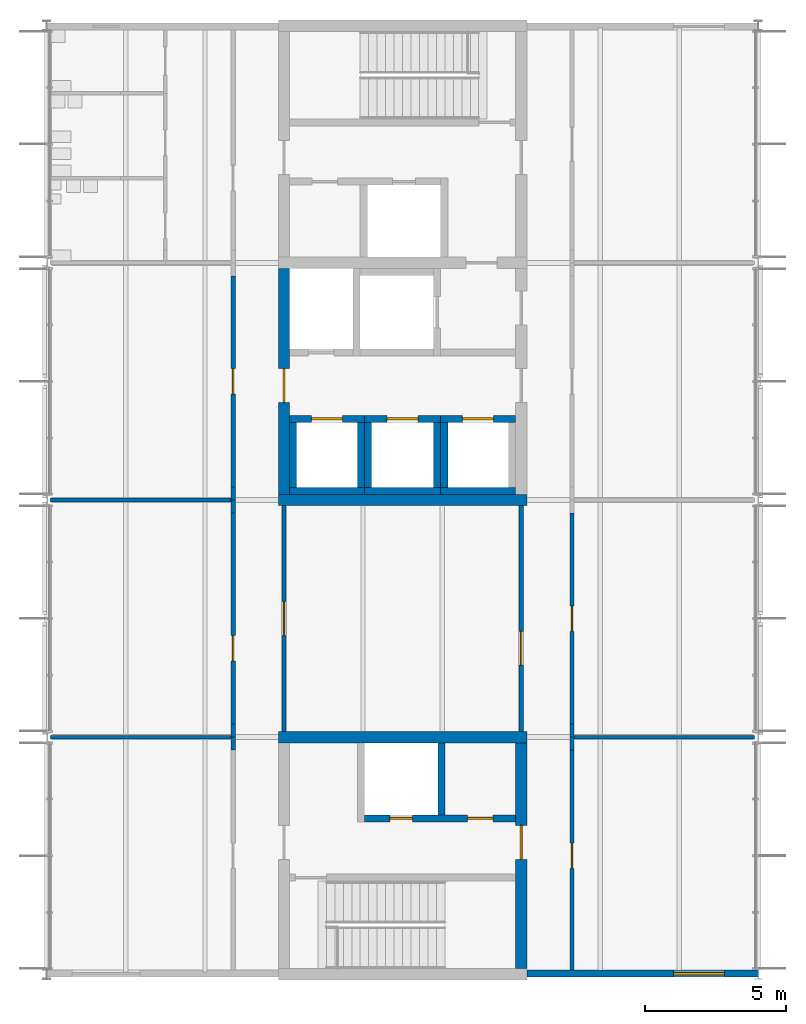
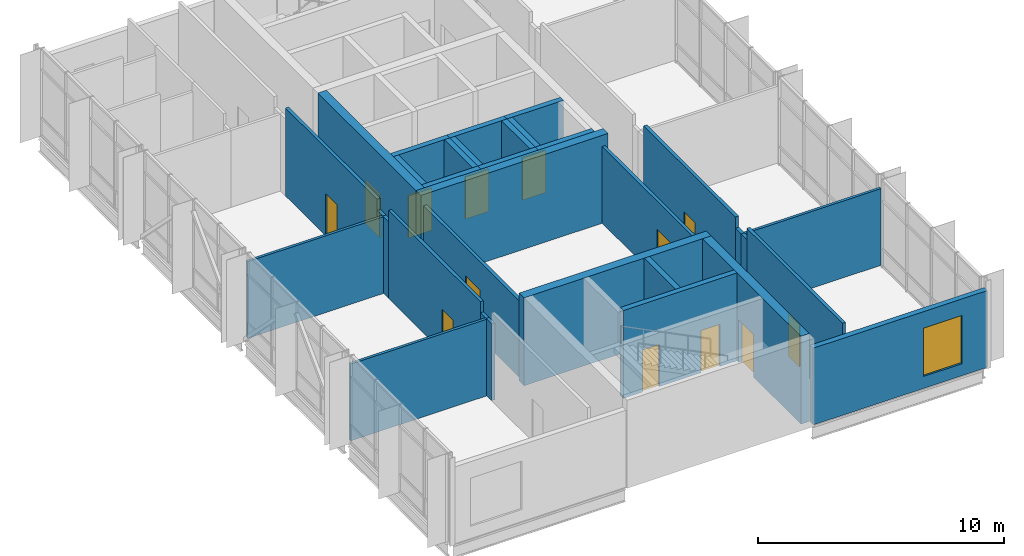
# One storey, part 9 of 17: 33 walls, 13 doors, 1 window, 14 openings.
"""IFC4 building model written with IfcOpenShell, lengths in metres."""

import ifcopenshell
import ifcopenshell.guid

model = None  # the IFC model being written
_history = None  # IfcOwnerHistory: only IFC2X3 demands one
_inside = {}  # id of a spatial element -> (the spatial element, [elements in it])
_under = {}  # id of a project, library or spatial element -> (it, [spatial elements below it])
_declared = {}  # id of a project -> (the project, [libraries it declares])
_typed = {}  # id of a type object -> (the type object, [elements of that type])
_made_of = {}  # id of a material, layer set ... -> (it, [elements and type objects made of it])


def new_model(schema):
    """Start an empty IFC model of exactly this schema.

    Asked for "IFC4X3", IfcOpenShell would pick the latest addendum, in which some entities
    have other attributes; the version numbers below select the first issue.
    IFC2X3 requires an IfcOwnerHistory on every rooted entity: one is made here for all.
    """
    global model, _history
    if schema == "IFC4X3":
        model = ifcopenshell.file(schema_version=(4, 3, 0, 0))
    else:
        model = ifcopenshell.file(schema=schema)
    _inside.clear()
    _under.clear()
    _declared.clear()
    _typed.clear()
    _made_of.clear()
    _history = None
    if model.schema == "IFC2X3":
        org = make("IfcOrganization", Name="unknown")
        user = make(
            "IfcPersonAndOrganization",
            ThePerson=make("IfcPerson", FamilyName="unknown"),
            TheOrganization=org,
        )
        app = make(
            "IfcApplication",
            ApplicationDeveloper=org,
            Version="unknown",
            ApplicationFullName="unknown",
            ApplicationIdentifier="unknown",
        )
        _history = make(
            "IfcOwnerHistory",
            OwningUser=user,
            OwningApplication=app,
            ChangeAction="ADDED",
            CreationDate=0,
        )
    return model


def make(cls, **values):
    """One entity of the class cls with the attributes given. An attribute that is None is left unset."""
    return model.create_entity(
        cls, **{name: value for name, value in values.items() if value is not None}
    )


def rooted(cls, **values):
    """An entity with a GlobalId (a new one), such as an element, a storey or a relation."""
    return make(cls, GlobalId=ifcopenshell.guid.new(), OwnerHistory=_history, **values)


def si_unit(unit_type, name, prefix=None):
    """IfcSIUnit, for example si_unit("LENGTHUNIT", "METRE", prefix="MILLI")."""
    return make("IfcSIUnit", UnitType=unit_type, Prefix=prefix, Name=name)


def assignment(units):
    """IfcUnitAssignment: the units of a project."""
    return None if units is None else make("IfcUnitAssignment", Units=units)


def point(xyz):
    """IfcCartesianPoint."""
    return None if xyz is None else make("IfcCartesianPoint", Coordinates=xyz)


def direction(xyz):
    """IfcDirection."""
    return None if xyz is None else make("IfcDirection", DirectionRatios=xyz)


def frame(location, z_axis=None, x_axis=None):
    """IfcAxis2Placement3D, a coordinate frame: its origin and axes. An axis left out is left unset."""
    return make(
        "IfcAxis2Placement3D",
        Location=point(location),
        Axis=direction(z_axis),
        RefDirection=direction(x_axis),
    )


def frame_2d(location, x_axis=None):
    """IfcAxis2Placement2D, a coordinate frame in the plane: its origin and x axis."""
    return make(
        "IfcAxis2Placement2D", Location=point(location), RefDirection=direction(x_axis)
    )


def origin():
    """The frame at (0, 0, 0) with its axes left unset."""
    return frame((0.0, 0.0, 0.0))


def place(relative_to, where):
    """IfcLocalPlacement: puts the frame where relative to a parent placement (None: the world)."""
    return make(
        "IfcLocalPlacement", PlacementRelTo=relative_to, RelativePlacement=where
    )


def context(
    kind, dimensions, precision=None, world=None, true_north=None, identifier=None
):
    """IfcGeometricRepresentationContext, for example the 3D "Model" context."""
    return make(
        "IfcGeometricRepresentationContext",
        ContextIdentifier=identifier,
        ContextType=kind,
        CoordinateSpaceDimension=dimensions,
        Precision=precision,
        WorldCoordinateSystem=world,
        TrueNorth=true_north,
    )


def subcontext(parent, identifier, kind, view, scale=None):
    """IfcGeometricRepresentationSubContext, for example "Body" below "Model"."""
    return make(
        "IfcGeometricRepresentationSubContext",
        ContextIdentifier=identifier,
        ContextType=kind,
        ParentContext=parent,
        TargetScale=scale,
        TargetView=view,
    )


def project(units=None, contexts=None):
    """IfcProject with its units and contexts."""
    return rooted(
        "IfcProject",
        Name="project",
        RepresentationContexts=contexts,
        UnitsInContext=assignment(units),
    )


def spatial(cls, under=None, at=None, **own):
    """A site, building, storey or space (cls), placed at a placement, below another one or the project."""
    s = rooted(cls, ObjectPlacement=at, **own)
    if under is not None:
        _under.setdefault(under.id(), (under, []))[1].append(s)
    return s


def profile(cls, at=None, kind="AREA", **sizes):
    """A parametric profile (cls). Its sizes go by their IFC names, for example OverallWidth=200.0."""
    return make(cls, ProfileType=kind, Position=at, **sizes)


def rectangle(**sizes):
    """IfcRectangleProfileDef."""
    return profile("IfcRectangleProfileDef", **sizes)


def extrude(swept, where, along, depth):
    """IfcExtrudedAreaSolid: the profile swept, set in the frame where, extruded along a direction by depth."""
    return make(
        "IfcExtrudedAreaSolid",
        SweptArea=swept,
        Position=where,
        ExtrudedDirection=direction(along),
        Depth=depth,
    )


def shape(context_of_items, identifier, shape_type, items):
    """IfcShapeRepresentation: the items that make up one representation, for example the "Body"."""
    return make(
        "IfcShapeRepresentation",
        ContextOfItems=context_of_items,
        RepresentationIdentifier=identifier,
        RepresentationType=shape_type,
        Items=items,
    )


def material(Name=None, Category=None):
    """IfcMaterial."""
    return make("IfcMaterial", Name=Name, Category=Category)


def layer(
    of_material, thickness, ventilated=None, Name=None, Category=None, Priority=None
):
    """IfcMaterialLayer: one layer of a wall or slab, of a material (None: an air gap)."""
    return make(
        "IfcMaterialLayer",
        Material=of_material,
        LayerThickness=thickness,
        IsVentilated=ventilated,
        Name=Name,
        Category=Category,
        Priority=Priority,
    )


def layer_set(layers, Name=None):
    """IfcMaterialLayerSet."""
    return make("IfcMaterialLayerSet", MaterialLayers=layers, LayerSetName=Name)


def made_of(thing, what):
    """Note that an element or type object is made of a material, layer set ...; save() writes the relation."""
    if what is not None:
        _made_of.setdefault(what.id(), (what, []))[1].append(thing)
    return thing


def type_object(cls, material=None, **own):
    """A type object (cls), such as IfcWallType, which elements share."""
    return made_of(rooted(cls, **own), material)


def element(
    cls,
    number,
    at=None,
    inside=None,
    cuts=None,
    type_object=None,
    material=None,
    context=None,
    identifier="Body",
    shape_type=None,
    held_by="IfcProductDefinitionShape",
    body=None,
    shapes=None,
    **own,
):
    """One element of the class cls, such as IfcWall. Its Tag is "e" and its number.

    at: its placement. inside: the storey or other place that contains it. cuts: it is an
    opening in that element (IfcRelVoidsElement). A single representation is given by context,
    identifier, shape_type and body (its items); several are given by shapes. held_by: the class
    of the entity that holds the representations. save() writes the other relations.
    """
    e = rooted(cls, Tag="e%d" % number, ObjectPlacement=at, **own)
    if body is not None:
        shapes = [shape(context, identifier, shape_type, body)]
    if shapes is not None:
        e.Representation = make(held_by, Representations=shapes)
    if inside is not None:
        _inside.setdefault(inside.id(), (inside, []))[1].append(e)
    if cuts is not None:
        rooted(
            "IfcRelVoidsElement", RelatingBuildingElement=cuts, RelatedOpeningElement=e
        )
    if type_object is not None:
        _typed.setdefault(type_object.id(), (type_object, []))[1].append(e)
    return made_of(e, material)


def fill(opening, filler):
    """IfcRelFillsElement: the door or window that sits in an opening."""
    return rooted(
        "IfcRelFillsElement",
        RelatingOpeningElement=opening,
        RelatedBuildingElement=filler,
    )


def aggregate(whole, parts):
    """IfcRelAggregates: a whole, such as a stair, and the parts it consists of."""
    return rooted("IfcRelAggregates", RelatingObject=whole, RelatedObjects=parts)


def save(model, path):
    """Write the relations noted so far, then the file.

    IfcRelAggregates (storeys below a building ...), IfcRelContainedInSpatialStructure (elements
    in a storey), IfcRelDefinesByType, IfcRelAssociatesMaterial and IfcRelDeclares: one each for
    every whole, place, type object, material and project.
    """
    for whole, parts in _under.values():
        aggregate(whole, parts)
    for where, things in _inside.values():
        rooted(
            "IfcRelContainedInSpatialStructure",
            RelatedElements=things,
            RelatingStructure=where,
        )
    for kind, things in _typed.values():
        rooted("IfcRelDefinesByType", RelatedObjects=things, RelatingType=kind)
    for what, things in _made_of.values():
        rooted("IfcRelAssociatesMaterial", RelatedObjects=things, RelatingMaterial=what)
    for by, libraries in _declared.values():
        rooted("IfcRelDeclares", RelatingContext=by, RelatedDefinitions=libraries)
    model.write(path)


model = new_model("IFC4")

# Units and contexts
model_context = context("Model", 3, precision=1e-05, world=origin(), true_north=direction((0.0, 1.0)))
body_context = subcontext(model_context, "Body", "Model", "MODEL_VIEW")
ifc_project = project(units=[si_unit("LENGTHUNIT", "METRE"), si_unit("AREAUNIT", "SQUARE_METRE"), si_unit("VOLUMEUNIT", "CUBIC_METRE"), si_unit("PLANEANGLEUNIT", "RADIAN"), si_unit("MASSUNIT", "GRAM", prefix="KILO")], contexts=[model_context])

# Site, building, storey
site_placement = place(None, origin())
site = spatial("IfcSite", under=ifc_project, at=site_placement, CompositionType="ELEMENT")
building_placement = place(site_placement, origin())
building = spatial("IfcBuilding", under=site, at=building_placement, Name="Hlaing Beacon Police Headquarters", CompositionType="ELEMENT")
storey_placement = place(building_placement, frame((0.0, 0.0, 36.89990234375)))
storey = spatial("IfcBuildingStorey", under=building, at=storey_placement, Name="L08", CompositionType="ELEMENT", Elevation=36.89990234375)

# Wall
ifc_material_1 = material(Name="Concrete C60/75", Category="concrete")
ifc_layer_1 = layer(ifc_material_1, 0.39990234375)
ifc_layer_set_1 = layer_set([ifc_layer_1], Name="Concrete C60/75")
wall_type_1 = type_object("IfcWallType", Name="Core shear wall 400", PredefinedType="SHEAR", material=ifc_layer_set_1)
wall_1_placement = place(storey_placement, frame((109.0, 50.39990234375, 0.0), z_axis=(0.0, 0.0, 1.0), x_axis=(1.0, 0.0, 0.0)))
element("IfcWall", 1, at=wall_1_placement, inside=storey, type_object=wall_type_1, Name="Core shear wall", PredefinedType="SHEAR", context=body_context, shape_type="SweptSolid", body=[
    extrude(rectangle(XDim=8.800048828125, YDim=0.39990234375, at=frame_2d((4.39990234375, 0.0))), origin(), (0.0, 0.0, 1.0), 4.3701171875),
])

# Wall, opening, door
wall_2_placement = place(storey_placement, frame((109.199951171875, 50.60009765625, 0.0), z_axis=(0.0, 0.0, 1.0), x_axis=(0.0, 1.0, 0.0)))
wall_2 = element("IfcWall", 2, at=wall_2_placement, inside=storey, type_object=wall_type_1, Name="Core shear wall", PredefinedType="SHEAR", context=body_context, shape_type="SweptSolid", body=[
    extrude(rectangle(XDim=8.0, YDim=0.39990234375, at=frame_2d((4.0, 0.0))), origin(), (0.0, 0.0, 1.0), 4.3701171875),
])
opening_1_placement = place(wall_2_placement, frame((3.25, 0.0, 0.0)))
opening_1 = element("IfcOpeningElement", 3, at=opening_1_placement, cuts=wall_2, Name="Opening L08-901", PredefinedType="OPENING", context=body_context, shape_type="SweptSolid", body=[
    extrude(rectangle(XDim=1.199951171875, YDim=2.10009765625, at=frame_2d((0.60009765625, 1.050048828125))), frame((0.0, 0.2099609375, 0.0), z_axis=(0.0, -1.0, 0.0), x_axis=(1.0, 0.0, 0.0)), (0.0, 0.0, 1.0), 0.419921875),
])
ifc_material_2 = material(Name="Steel fire door leaf", Category="steel")
ifc_layer_2 = layer(ifc_material_2, 0.070068359375)
ifc_layer_set_2 = layer_set([ifc_layer_2], Name="Steel fire door leaf")
door_type_1 = type_object("IfcDoorType", Name="Steel fire door FD60S 1200x2100", OperationType="SINGLE_SWING_LEFT", PredefinedType="DOOR", material=ifc_layer_set_2)
door_1_placement = place(opening_1_placement, frame((1.199951171875, 0.0, 0.0), z_axis=(0.0, 0.0, 1.0), x_axis=(-1.0, 0.0, 0.0)))
door_1 = element("IfcDoor", 4, at=door_1_placement, inside=storey, type_object=door_type_1, Name="Door Lift Lobby Entry", OperationType="SINGLE_SWING_LEFT", OverallHeight=2.10009765625, OverallWidth=1.199951171875, PredefinedType="DOOR", context=body_context, shape_type="SweptSolid", body=[
    extrude(rectangle(XDim=1.199951171875, YDim=2.10009765625, at=frame_2d((0.599853515625, 1.050048828125))), frame((0.0, 0.034912109375, 0.0), z_axis=(0.0, -1.0, 0.0), x_axis=(1.0, 0.0, 0.0)), (0.0, 0.0, 1.0), 0.070068359375),
])
fill(opening_1, door_1)

# Wall
wall_3_placement = place(storey_placement, frame((109.0, 42.0, 0.0), z_axis=(0.0, 0.0, 1.0), x_axis=(1.0, 0.0, 0.0)))
element("IfcWall", 5, at=wall_3_placement, inside=storey, type_object=wall_type_1, Name="Core shear wall", PredefinedType="SHEAR", context=body_context, shape_type="SweptSolid", body=[
    extrude(rectangle(XDim=8.800048828125, YDim=0.39990234375, at=frame_2d((4.39990234375, 0.0))), origin(), (0.0, 0.0, 1.0), 4.3701171875),
])

# Wall, opening, door
wall_4_placement = place(storey_placement, frame((117.60009765625, 33.800048828125, 0.0), z_axis=(0.0, 0.0, 1.0), x_axis=(0.0, 1.0, 0.0)))
wall_4 = element("IfcWall", 6, at=wall_4_placement, inside=storey, type_object=wall_type_1, Name="Core shear wall", PredefinedType="SHEAR", context=body_context, shape_type="SweptSolid", body=[
    extrude(rectangle(XDim=8.0, YDim=0.39990234375, at=frame_2d((4.0, 0.0))), origin(), (0.0, 0.0, 1.0), 4.3701171875),
])
opening_2_placement = place(wall_4_placement, frame((3.875, 0.0, 0.0)))
opening_2 = element("IfcOpeningElement", 7, at=opening_2_placement, cuts=wall_4, Name="Opening L08-913", PredefinedType="OPENING", context=body_context, shape_type="SweptSolid", body=[
    extrude(rectangle(XDim=1.199951171875, YDim=2.10009765625, at=frame_2d((0.60009765625, 1.050048828125))), frame((0.0, 0.2099609375, 0.0), z_axis=(0.0, -1.0, 0.0), x_axis=(1.0, 0.0, 0.0)), (0.0, 0.0, 1.0), 0.419921875),
])
door_2_placement = place(opening_2_placement, origin())
door_2 = element("IfcDoor", 8, at=door_2_placement, inside=storey, type_object=door_type_1, Name="Door Stair Lobby ST-L Entry", OperationType="SINGLE_SWING_LEFT", OverallHeight=2.10009765625, OverallWidth=1.199951171875, PredefinedType="DOOR", context=body_context, shape_type="SweptSolid", body=[
    extrude(rectangle(XDim=1.199951171875, YDim=2.10009765625, at=frame_2d((0.60009765625, 1.050048828125))), frame((0.0, 0.03515625, 0.0), z_axis=(0.0, -1.0, 0.0), x_axis=(1.0, 0.0, 0.0)), (0.0, 0.0, 1.0), 0.070068359375),
])
fill(opening_2, door_2)

ifc_material_3 = material(Name="Gypsum board partition")
ifc_layer_3 = layer(ifc_material_3, 0.14990234375)
ifc_layer_set_3 = layer_set([ifc_layer_3], Name="Gypsum board partition")
wall_type_2 = type_object("IfcWallType", Name="Corridor wall EI 30 150", PredefinedType="PARTITIONING", material=ifc_layer_set_3)
wall_5_placement = place(storey_placement, frame((119.39990234375, 33.75, 0.0), z_axis=(0.0, 0.0, 1.0), x_axis=(0.0, 1.0, 0.0)))
wall_5 = element("IfcWall", 9, at=wall_5_placement, inside=storey, type_object=wall_type_2, Name="Corridor wall EI 30 150", PredefinedType="PARTITIONING", context=body_context, shape_type="SweptSolid", body=[
    extrude(rectangle(XDim=7.7900390625, YDim=0.14990234375, at=frame_2d((3.89501953125, 0.0))), origin(), (0.0, 0.0, 1.0), 4.3701171875),
])
opening_3_placement = place(wall_5_placement, frame((3.60009765625, 0.0, 0.0)))
opening_3 = element("IfcOpeningElement", 10, at=opening_3_placement, cuts=wall_5, Name="Opening L08-001", PredefinedType="OPENING", context=body_context, shape_type="SweptSolid", body=[
    extrude(rectangle(XDim=0.89990234375, YDim=2.10009765625, at=frame_2d((0.449951171875, 1.050048828125))), frame((0.0, 0.0849609375, 0.0), z_axis=(0.0, -1.0, 0.0), x_axis=(1.0, 0.0, 0.0)), (0.0, 0.0, 1.0), 0.169921875),
])
ifc_material_4 = material(Name="Hardwood door leaf", Category="wood")
ifc_layer_4 = layer(ifc_material_4, 0.050048828125)
ifc_layer_set_4 = layer_set([ifc_layer_4], Name="Hardwood door leaf")
door_type_2 = type_object("IfcDoorType", Name="Fire door FD30S 900x2100", OperationType="SINGLE_SWING_LEFT", PredefinedType="DOOR", material=ifc_layer_set_4)
door_3_placement = place(opening_3_placement, frame((0.89990234375, 0.0, 0.0), z_axis=(0.0, 0.0, 1.0), x_axis=(-1.0, 0.0, 0.0)))
door_3 = element("IfcDoor", 11, at=door_3_placement, inside=storey, type_object=door_type_2, Name="Door Operations Commanders' Suite 1", OperationType="SINGLE_SWING_LEFT", OverallHeight=2.10009765625, OverallWidth=0.89990234375, PredefinedType="DOOR", context=body_context, shape_type="SweptSolid", body=[
    extrude(rectangle(XDim=0.89990234375, YDim=2.10009765625, at=frame_2d((0.449951171875, 1.050048828125))), frame((0.0, 0.025146484375, 0.0), z_axis=(0.0, -1.0, 0.0), x_axis=(1.0, 0.0, 0.0)), (0.0, 0.0, 1.0), 0.050048828125),
])
fill(opening_3, door_3)

# Walls
for number, where, z_axis, x_axis, name in (
    (12, (119.39990234375, 41.5400390625, 0.0), (0.0, 0.0, 1.0), (0.0, 1.0, 0.0), "Corridor wall EI 30 150"),
    (13, (119.39990234375, 42.0, 0.0), (0.0, 0.0, 1.0), (0.0, 1.0, 0.0), "Corridor wall EI 30 150"),
):
    element("IfcWall", number, at=place(storey_placement, frame(where, z_axis=z_axis, x_axis=x_axis)), inside=storey, type_object=wall_type_2, Name=name, PredefinedType="PARTITIONING", context=body_context, shape_type="SweptSolid", body=[
        extrude(rectangle(XDim=0.4599609375, YDim=0.14990234375, at=frame_2d((0.22998046875, 0.0))), origin(), (0.0, 0.0, 1.0), 3.817138671875),
    ])

# Wall, opening, door
wall_6_placement = place(storey_placement, frame((119.39990234375, 42.4599609375, 0.0), z_axis=(0.0, 0.0, 1.0), x_axis=(0.0, 1.0, 0.0)))
wall_6 = element("IfcWall", 14, at=wall_6_placement, inside=storey, type_object=wall_type_2, Name="Corridor wall EI 30 150", PredefinedType="PARTITIONING", context=body_context, shape_type="SweptSolid", body=[
    extrude(rectangle(XDim=7.47998046875, YDim=0.14990234375, at=frame_2d((3.739990234375, 0.0))), origin(), (0.0, 0.0, 1.0), 4.3701171875),
])
opening_4_placement = place(wall_6_placement, frame((3.2900390625, 0.0, 0.0)))
opening_4 = element("IfcOpeningElement", 15, at=opening_4_placement, cuts=wall_6, Name="Opening L08-002", PredefinedType="OPENING", context=body_context, shape_type="SweptSolid", body=[
    extrude(rectangle(XDim=0.89990234375, YDim=2.10009765625, at=frame_2d((0.449951171875, 1.050048828125))), frame((0.0, 0.0849609375, 0.0), z_axis=(0.0, -1.0, 0.0), x_axis=(1.0, 0.0, 0.0)), (0.0, 0.0, 1.0), 0.169921875),
])
door_4_placement = place(opening_4_placement, frame((0.89990234375, 0.0, 0.0), z_axis=(0.0, 0.0, 1.0), x_axis=(-1.0, 0.0, 0.0)))
door_4 = element("IfcDoor", 16, at=door_4_placement, inside=storey, type_object=door_type_2, Name="Door Operations Commanders' Suite 2", OperationType="SINGLE_SWING_RIGHT", OverallHeight=2.10009765625, OverallWidth=0.89990234375, PredefinedType="DOOR", context=body_context, shape_type="SweptSolid", body=[
    extrude(rectangle(XDim=0.89990234375, YDim=2.10009765625, at=frame_2d((0.449951171875, 1.050048828125))), frame((0.0, 0.025146484375, 0.0), z_axis=(0.0, -1.0, 0.0), x_axis=(1.0, 0.0, 0.0)), (0.0, 0.0, 1.0), 0.050048828125),
])
fill(opening_4, door_4)

wall_7_placement = place(storey_placement, frame((117.60009765625, 42.199951171875, 0.0), z_axis=(0.0, 0.0, 1.0), x_axis=(0.0, 1.0, 0.0)))
wall_7 = element("IfcWall", 17, at=wall_7_placement, inside=storey, type_object=wall_type_2, Name="Corridor wall EI 30 150", PredefinedType="PARTITIONING", context=body_context, shape_type="SweptSolid", body=[
    extrude(rectangle(XDim=8.0, YDim=0.14990234375, at=frame_2d((4.0, 0.0))), origin(), (0.0, 0.0, 1.0), 3.817138671875),
])
opening_5_placement = place(wall_7_placement, frame((2.35009765625, 0.0, 0.0)))
opening_5 = element("IfcOpeningElement", 18, at=opening_5_placement, cuts=wall_7, Name="Opening L08-005", PredefinedType="OPENING", context=body_context, shape_type="SweptSolid", body=[
    extrude(rectangle(XDim=1.199951171875, YDim=2.39990234375, at=frame_2d((0.60009765625, 1.199951171875))), frame((0.0, 0.0849609375, 0.0), z_axis=(0.0, -1.0, 0.0), x_axis=(1.0, 0.0, 0.0)), (0.0, 0.0, 1.0), 0.169921875),
])
ifc_material_5 = material(Name="Hardwood door leaf", Category="wood")
ifc_layer_5 = layer(ifc_material_5, 0.050048828125)
ifc_layer_set_5 = layer_set([ifc_layer_5], Name="Hardwood door leaf")
door_type_3 = type_object("IfcDoorType", Name="Fire public door FD30S 1200x2400", OperationType="SINGLE_SWING_LEFT", PredefinedType="DOOR", material=ifc_layer_set_5)
door_5_placement = place(opening_5_placement, frame((1.199951171875, 0.0, 0.0), z_axis=(0.0, 0.0, 1.0), x_axis=(-1.0, 0.0, 0.0)))
door_5 = element("IfcDoor", 19, at=door_5_placement, inside=storey, type_object=door_type_3, Name="Door Command Meeting Room 2", OperationType="SINGLE_SWING_RIGHT", OverallHeight=2.39990234375, OverallWidth=1.199951171875, PredefinedType="DOOR", context=body_context, shape_type="SweptSolid", body=[
    extrude(rectangle(XDim=1.199951171875, YDim=2.39990234375, at=frame_2d((0.599853515625, 1.199951171875))), frame((0.0, 0.025146484375, 0.0), z_axis=(0.0, -1.0, 0.0), x_axis=(1.0, 0.0, 0.0)), (0.0, 0.0, 1.0), 0.050048828125),
])
fill(opening_5, door_5)

wall_8_placement = place(storey_placement, frame((109.199951171875, 42.199951171875, 0.0), z_axis=(0.0, 0.0, 1.0), x_axis=(0.0, 1.0, 0.0)))
wall_8 = element("IfcWall", 20, at=wall_8_placement, inside=storey, type_object=wall_type_2, Name="Corridor wall EI 30 150", PredefinedType="PARTITIONING", context=body_context, shape_type="SweptSolid", body=[
    extrude(rectangle(XDim=8.0, YDim=0.14990234375, at=frame_2d((4.0, 0.0))), origin(), (0.0, 0.0, 1.0), 3.817138671875),
])
opening_6_placement = place(wall_8_placement, frame((3.39990234375, 0.0, 0.0)))
opening_6 = element("IfcOpeningElement", 21, at=opening_6_placement, cuts=wall_8, Name="Opening L08-006", PredefinedType="OPENING", context=body_context, shape_type="SweptSolid", body=[
    extrude(rectangle(XDim=1.199951171875, YDim=2.39990234375, at=frame_2d((0.60009765625, 1.199951171875))), frame((0.0, 0.0849609375, 0.0), z_axis=(0.0, -1.0, 0.0), x_axis=(1.0, 0.0, 0.0)), (0.0, 0.0, 1.0), 0.169921875),
])
door_6_placement = place(opening_6_placement, origin())
door_6 = element("IfcDoor", 22, at=door_6_placement, inside=storey, type_object=door_type_3, Name="Door Command Meeting Room 2", OperationType="SINGLE_SWING_LEFT", OverallHeight=2.39990234375, OverallWidth=1.199951171875, PredefinedType="DOOR", context=body_context, shape_type="SweptSolid", body=[
    extrude(rectangle(XDim=1.199951171875, YDim=2.39990234375, at=frame_2d((0.60009765625, 1.199951171875))), frame((0.0, 0.02490234375, 0.0), z_axis=(0.0, -1.0, 0.0), x_axis=(1.0, 0.0, 0.0)), (0.0, 0.0, 1.0), 0.050048828125),
])
fill(opening_6, door_6)

# Walls
for number, where, z_axis, x_axis, name in (
    (23, (107.39990234375, 41.5400390625, 0.0), (0.0, 0.0, 1.0), (0.0, 1.0, 0.0), "Corridor wall EI 30 150"),
    (24, (107.39990234375, 42.0, 0.0), (0.0, 0.0, 1.0), (0.0, 1.0, 0.0), "Corridor wall EI 30 150"),
):
    element("IfcWall", number, at=place(storey_placement, frame(where, z_axis=z_axis, x_axis=x_axis)), inside=storey, type_object=wall_type_2, Name=name, PredefinedType="PARTITIONING", context=body_context, shape_type="SweptSolid", body=[
        extrude(rectangle(XDim=0.4599609375, YDim=0.14990234375, at=frame_2d((0.22998046875, 0.0))), origin(), (0.0, 0.0, 1.0), 3.817138671875),
    ])

# Wall, opening, door
wall_9_placement = place(storey_placement, frame((107.39990234375, 42.4599609375, 0.0), z_axis=(0.0, 0.0, 1.0), x_axis=(0.0, 1.0, 0.0)))
wall_9 = element("IfcWall", 25, at=wall_9_placement, inside=storey, type_object=wall_type_2, Name="Corridor wall EI 30 150", PredefinedType="PARTITIONING", context=body_context, shape_type="SweptSolid", body=[
    extrude(rectangle(XDim=7.47998046875, YDim=0.14990234375, at=frame_2d((3.739990234375, 0.0))), origin(), (0.0, 0.0, 1.0), 4.3701171875),
])
opening_7_placement = place(wall_9_placement, frame((2.239990234375, 0.0, 0.0)))
opening_7 = element("IfcOpeningElement", 26, at=opening_7_placement, cuts=wall_9, Name="Opening L08-008", PredefinedType="OPENING", context=body_context, shape_type="SweptSolid", body=[
    extrude(rectangle(XDim=0.89990234375, YDim=2.10009765625, at=frame_2d((0.449951171875, 1.050048828125))), frame((0.0, 0.0849609375, 0.0), z_axis=(0.0, -1.0, 0.0), x_axis=(1.0, 0.0, 0.0)), (0.0, 0.0, 1.0), 0.169921875),
])
door_7_placement = place(opening_7_placement, origin())
door_7 = element("IfcDoor", 27, at=door_7_placement, inside=storey, type_object=door_type_2, Name="Door Deputy Chief Office 2", OperationType="SINGLE_SWING_RIGHT", OverallHeight=2.10009765625, OverallWidth=0.89990234375, PredefinedType="DOOR", context=body_context, shape_type="SweptSolid", body=[
    extrude(rectangle(XDim=0.89990234375, YDim=2.10009765625, at=frame_2d((0.449951171875, 1.050048828125))), frame((0.0, 0.02490234375, 0.0), z_axis=(0.0, -1.0, 0.0), x_axis=(1.0, 0.0, 0.0)), (0.0, 0.0, 1.0), 0.050048828125),
])
fill(opening_7, door_7)

# Walls
wall_10_placement = place(storey_placement, frame((107.39990234375, 49.93994140625, 0.0), z_axis=(0.0, 0.0, 1.0), x_axis=(0.0, 1.0, 0.0)))
element("IfcWall", 28, at=wall_10_placement, inside=storey, type_object=wall_type_2, Name="Corridor wall EI 30 150", PredefinedType="PARTITIONING", context=body_context, shape_type="SweptSolid", body=[
    extrude(rectangle(XDim=0.4599609375, YDim=0.14990234375, at=frame_2d((0.22998046875, 0.0))), origin(), (0.0, 0.0, 1.0), 3.817138671875),
])
wall_11_placement = place(storey_placement, frame((107.39990234375, 50.39990234375, 0.0), z_axis=(0.0, 0.0, 1.0), x_axis=(0.0, 1.0, 0.0)))
element("IfcWall", 29, at=wall_11_placement, inside=storey, type_object=wall_type_2, Name="Corridor wall EI 30 150", PredefinedType="PARTITIONING", context=body_context, shape_type="SweptSolid", body=[
    extrude(rectangle(XDim=0.460205078125, YDim=0.14990234375, at=frame_2d((0.22998046875, 0.0))), origin(), (0.0, 0.0, 1.0), 3.817138671875),
])

# Wall, opening, door
wall_12_placement = place(storey_placement, frame((107.39990234375, 50.860107421875, 0.0), z_axis=(0.0, 0.0, 1.0), x_axis=(0.0, 1.0, 0.0)))
wall_12 = element("IfcWall", 30, at=wall_12_placement, inside=storey, type_object=wall_type_2, Name="Corridor wall EI 30 150", PredefinedType="PARTITIONING", context=body_context, shape_type="SweptSolid", body=[
    extrude(rectangle(XDim=7.47998046875, YDim=0.14990234375, at=frame_2d((3.739990234375, 0.0))), origin(), (0.0, 0.0, 1.0), 4.3701171875),
])
opening_8_placement = place(wall_12_placement, frame((3.2900390625, 0.0, 0.0)))
opening_8 = element("IfcOpeningElement", 31, at=opening_8_placement, cuts=wall_12, Name="Opening L08-009", PredefinedType="OPENING", context=body_context, shape_type="SweptSolid", body=[
    extrude(rectangle(XDim=0.89990234375, YDim=2.10009765625, at=frame_2d((0.449951171875, 1.050048828125))), frame((0.0, 0.0849609375, 0.0), z_axis=(0.0, -1.0, 0.0), x_axis=(1.0, 0.0, 0.0)), (0.0, 0.0, 1.0), 0.169921875),
])
door_8_placement = place(opening_8_placement, origin())
door_8 = element("IfcDoor", 32, at=door_8_placement, inside=storey, type_object=door_type_2, Name="Door Deputy Chief Office 3", OperationType="SINGLE_SWING_LEFT", OverallHeight=2.10009765625, OverallWidth=0.89990234375, PredefinedType="DOOR", context=body_context, shape_type="SweptSolid", body=[
    extrude(rectangle(XDim=0.89990234375, YDim=2.10009765625, at=frame_2d((0.449951171875, 1.050048828125))), frame((0.0, 0.02490234375, 0.0), z_axis=(0.0, -1.0, 0.0), x_axis=(1.0, 0.0, 0.0)), (0.0, 0.0, 1.0), 0.050048828125),
])
fill(opening_8, door_8)

# Walls
ifc_material_6 = material(Name="Gypsum board partition")
ifc_layer_6 = layer(ifc_material_6, 0.125)
ifc_layer_set_6 = layer_set([ifc_layer_6], Name="Gypsum board partition")
wall_type_3 = type_object("IfcWallType", Name="Partition 125", PredefinedType="PARTITIONING", material=ifc_layer_set_6)
wall_13_placement = place(storey_placement, frame((119.47509765625, 42.0, 0.0), z_axis=(0.0, 0.0, 1.0), x_axis=(1.0, 0.0, 0.0)))
element("IfcWall", 33, at=wall_13_placement, inside=storey, type_object=wall_type_3, Name="Partition 125", PredefinedType="PARTITIONING", context=body_context, shape_type="SweptSolid", body=[
    extrude(rectangle(XDim=6.39599609375, YDim=0.125, at=frame_2d((3.197998046875, 0.0))), origin(), (0.0, 0.0, 1.0), 3.817138671875),
])
for number, where, z_axis, x_axis, name in (
    (34, (100.927978515625, 42.0, 0.0), (0.0, 0.0, 1.0), (1.0, 0.0, 0.0), "Partition 125"),
    (35, (100.927978515625, 50.39990234375, 0.0), (0.0, 0.0, 1.0), (1.0, 0.0, 0.0), "Partition 125"),
):
    element("IfcWall", number, at=place(storey_placement, frame(where, z_axis=z_axis, x_axis=x_axis)), inside=storey, type_object=wall_type_3, Name=name, PredefinedType="PARTITIONING", context=body_context, shape_type="SweptSolid", body=[
        extrude(rectangle(XDim=6.39697265625, YDim=0.125, at=frame_2d((3.198486328125, 0.0))), origin(), (0.0, 0.0, 1.0), 3.817138671875),
    ])

# Wall, opening, window
ifc_material_7 = material(Name="Concrete C40/50 precast ribbed cladding", Category="concrete")
ifc_layer_7 = layer(ifc_material_7, 0.25)
ifc_layer_set_7 = layer_set([ifc_layer_7], Name="Concrete C40/50 precast ribbed cladding")
wall_type_4 = type_object("IfcWallType", Name="Precast ribbed wall 250", PredefinedType="SOLIDWALL", material=ifc_layer_set_7)
wall_14_placement = place(storey_placement, frame((117.800048828125, 33.625, 0.0), z_axis=(0.0, 0.0, 1.0), x_axis=(1.0, 0.0, 0.0)))
wall_14 = element("IfcWall", 36, at=wall_14_placement, inside=storey, type_object=wall_type_4, Name="External wall L08 S004", PredefinedType="SOLIDWALL", context=body_context, shape_type="SweptSolid", body=[
    extrude(rectangle(XDim=8.1962890625, YDim=0.25, at=frame_2d((4.09814453125, 0.0))), origin(), (0.0, 0.0, 1.0), 3.819091796875),
])
opening_9_placement = place(wall_14_placement, frame((5.199951171875, 0.0, 0.60009765625)))
opening_9 = element("IfcOpeningElement", 37, at=opening_9_placement, cuts=wall_14, Name="Opening WN43", PredefinedType="OPENING", context=body_context, shape_type="SweptSolid", body=[
    extrude(rectangle(XDim=1.800048828125, YDim=2.39990234375, at=frame_2d((0.89990234375, 1.199951171875))), frame((0.0, 0.135009765625, 0.0), z_axis=(0.0, -1.0, 0.0), x_axis=(1.0, 0.0, 0.0)), (0.0, 0.0, 1.0), 0.27001953125),
])
ifc_material_8 = material(Name="Aluminium frame with solar control glazing", Category="aluminium")
window_type = type_object("IfcWindowType", Name="Wide window 1800x2400 frame 80", PartitioningType="SINGLE_PANEL", PredefinedType="WINDOW", material=ifc_material_8)
window_placement = place(opening_9_placement, origin())
window = element("IfcWindow", 38, at=window_placement, inside=storey, type_object=window_type, Name="Window L08 WM", OverallHeight=2.39990234375, OverallWidth=1.800048828125, PartitioningType="SINGLE_PANEL", PredefinedType="WINDOW", context=body_context, shape_type="SweptSolid", body=[
    extrude(rectangle(XDim=1.800048828125, YDim=2.39990234375, at=frame_2d((0.89990234375, 1.199951171875))), frame((0.0, 0.0400390625, 0.0), z_axis=(0.0, -1.0, 0.0), x_axis=(1.0, 0.0, 0.0)), (0.0, 0.0, 1.0), 0.080078125),
])
fill(opening_9, window)

# Wall, openings, doors
ifc_material_9 = material(Name="Concrete C40/50", Category="concrete")
ifc_layer_8 = layer(ifc_material_9, 0.25)
ifc_layer_set_8 = layer_set([ifc_layer_8], Name="Concrete C40/50")
wall_type_5 = type_object("IfcWallType", Name="Shaft wall 250", PredefinedType="SOLIDWALL", material=ifc_layer_set_8)
wall_15_placement = place(storey_placement, frame((112.050048828125, 39.125, 0.0), z_axis=(0.0, 0.0, 1.0), x_axis=(1.0, 0.0, 0.0)))
wall_15 = element("IfcWall", 39, at=wall_15_placement, inside=storey, type_object=wall_type_5, Name="Lobby wall", PredefinedType="SOLIDWALL", context=body_context, shape_type="SweptSolid", body=[
    extrude(rectangle(XDim=5.349853515625, YDim=0.25, at=frame_2d((2.6748046875, 0.0))), origin(), (0.0, 0.0, 1.0), 4.3701171875),
])
opening_10_placement = place(wall_15_placement, frame((3.64990234375, 0.0, 0.0)))
opening_10 = element("IfcOpeningElement", 40, at=opening_10_placement, cuts=wall_15, Name="Opening L08-911", PredefinedType="OPENING", context=body_context, shape_type="SweptSolid", body=[
    extrude(rectangle(XDim=0.89990234375, YDim=2.10009765625, at=frame_2d((0.449951171875, 1.050048828125))), frame((0.0, 0.135009765625, 0.0), z_axis=(0.0, -1.0, 0.0), x_axis=(1.0, 0.0, 0.0)), (0.0, 0.0, 1.0), 0.27001953125),
])
opening_11_placement = place(wall_15_placement, frame((0.89990234375, 0.0, 0.0)))
opening_11 = element("IfcOpeningElement", 41, at=opening_11_placement, cuts=wall_15, Name="Opening L08-914", PredefinedType="OPENING", context=body_context, shape_type="SweptSolid", body=[
    extrude(rectangle(XDim=0.800048828125, YDim=2.10009765625, at=frame_2d((0.39990234375, 1.050048828125))), frame((0.0, 0.135009765625, 0.0), z_axis=(0.0, -1.0, 0.0), x_axis=(1.0, 0.0, 0.0)), (0.0, 0.0, 1.0), 0.27001953125),
])
ifc_material_10 = material(Name="Steel fire door leaf", Category="steel")
ifc_layer_9 = layer(ifc_material_10, 0.070068359375)
ifc_layer_set_9 = layer_set([ifc_layer_9], Name="Steel fire door leaf")
door_type_4 = type_object("IfcDoorType", Name="Steel fire door FD60 800x2100", OperationType="SINGLE_SWING_LEFT", PredefinedType="DOOR", material=ifc_layer_set_9)
door_9_placement = place(opening_11_placement, origin())
door_9 = element("IfcDoor", 42, at=door_9_placement, inside=storey, type_object=door_type_4, Name="Door Services Riser", OperationType="SINGLE_SWING_RIGHT", OverallHeight=2.10009765625, OverallWidth=0.800048828125, PredefinedType="DOOR", context=body_context, shape_type="SweptSolid", body=[
    extrude(rectangle(XDim=0.800048828125, YDim=2.10009765625, at=frame_2d((0.39990234375, 1.050048828125))), frame((0.0, 0.03515625, 0.0), z_axis=(0.0, -1.0, 0.0), x_axis=(1.0, 0.0, 0.0)), (0.0, 0.0, 1.0), 0.070068359375),
])
fill(opening_11, door_9)
ifc_material_11 = material(Name="Steel fire door leaf", Category="steel")
ifc_layer_10 = layer(ifc_material_11, 0.070068359375)
ifc_layer_set_10 = layer_set([ifc_layer_10], Name="Steel fire door leaf")
door_type_5 = type_object("IfcDoorType", Name="Steel fire door FD60 900x2100", OperationType="SINGLE_SWING_LEFT", PredefinedType="DOOR", material=ifc_layer_set_10)
door_10_placement = place(opening_10_placement, origin())
door_10 = element("IfcDoor", 43, at=door_10_placement, inside=storey, type_object=door_type_5, Name="Door Cleaners' Store", OperationType="SINGLE_SWING_LEFT", OverallHeight=2.10009765625, OverallWidth=0.89990234375, PredefinedType="DOOR", context=body_context, shape_type="SweptSolid", body=[
    extrude(rectangle(XDim=0.89990234375, YDim=2.10009765625, at=frame_2d((0.449951171875, 1.050048828125))), frame((0.0, 0.03515625, 0.0), z_axis=(0.0, -1.0, 0.0), x_axis=(1.0, 0.0, 0.0)), (0.0, 0.0, 1.0), 0.070068359375),
])
fill(opening_10, door_10)

# Walls
wall_16_placement = place(storey_placement, frame((114.77490234375, 39.25, 0.0), z_axis=(0.0, 0.0, 1.0), x_axis=(0.0, 1.0, 0.0)))
element("IfcWall", 44, at=wall_16_placement, inside=storey, type_object=wall_type_5, Name="Riser wall", PredefinedType="SOLIDWALL", context=body_context, shape_type="SweptSolid", body=[
    extrude(rectangle(XDim=2.550048828125, YDim=0.25, at=frame_2d((1.27490234375, 0.0))), origin(), (0.0, 0.0, 1.0), 4.3701171875),
])
wall_17_placement = place(storey_placement, frame((111.925048828125, 50.85009765625, 0.0), z_axis=(0.0, 0.0, 1.0), x_axis=(0.0, 1.0, 0.0)))
element("IfcWall", 45, at=wall_17_placement, inside=storey, type_object=wall_type_5, Name="Lift shaft wall PL7", PredefinedType="SOLIDWALL", context=body_context, shape_type="SweptSolid", body=[
    extrude(rectangle(XDim=2.2998046875, YDim=0.25, at=frame_2d((1.14990234375, 0.0))), origin(), (0.0, 0.0, 1.0), 4.3701171875),
])

# Wall, opening, door
wall_18_placement = place(storey_placement, frame((109.39990234375, 53.27490234375, 0.0), z_axis=(0.0, 0.0, 1.0), x_axis=(1.0, 0.0, 0.0)))
wall_18 = element("IfcWall", 46, at=wall_18_placement, inside=storey, type_object=wall_type_5, Name="Lift shaft wall PL7", PredefinedType="SOLIDWALL", context=body_context, shape_type="SweptSolid", body=[
    extrude(rectangle(XDim=2.650146484375, YDim=0.25, at=frame_2d((1.3251953125, 0.0))), origin(), (0.0, 0.0, 1.0), 4.3701171875),
])
opening_12_placement = place(wall_18_placement, frame((0.77490234375, 0.0, 0.0)))
opening_12 = element("IfcOpeningElement", 47, at=opening_12_placement, cuts=wall_18, Name="Opening LD-PL7-L08", PredefinedType="OPENING", context=body_context, shape_type="SweptSolid", body=[
    extrude(rectangle(XDim=1.10009765625, YDim=2.10009765625, at=frame_2d((0.550048828125, 1.050048828125))), frame((0.0, 0.135009765625, 0.0), z_axis=(0.0, -1.0, 0.0), x_axis=(1.0, 0.0, 0.0)), (0.0, 0.0, 1.0), 0.27001953125),
])
ifc_material_12 = material(Name="Stainless steel lift landing door", Category="steel")
ifc_layer_11 = layer(ifc_material_12, 0.06005859375)
ifc_layer_set_11 = layer_set([ifc_layer_11], Name="Stainless steel lift landing door")
door_type_6 = type_object("IfcDoorType", Name="Lift landing door 1100x2100", OperationType="DOUBLE_DOOR_SLIDING", PredefinedType="DOOR", material=ifc_layer_set_11)
door_11_placement = place(opening_12_placement, origin())
door_11 = element("IfcDoor", 48, at=door_11_placement, inside=storey, type_object=door_type_6, Name="Landing door PL7 L08", OperationType="DOUBLE_DOOR_SLIDING", OverallHeight=2.10009765625, OverallWidth=1.10009765625, PredefinedType="DOOR", context=body_context, shape_type="SweptSolid", body=[
    extrude(rectangle(XDim=1.10009765625, YDim=2.10009765625, at=frame_2d((0.550048828125, 1.050048828125))), frame((0.0, 0.0400390625, 0.0), z_axis=(0.0, -1.0, 0.0), x_axis=(1.0, 0.0, 0.0)), (0.0, 0.0, 1.0), 0.080078125),
])
fill(opening_12, door_11)

# Walls
wall_19_placement = place(storey_placement, frame((109.39990234375, 50.72509765625, 0.0), z_axis=(0.0, 0.0, 1.0), x_axis=(1.0, 0.0, 0.0)))
element("IfcWall", 49, at=wall_19_placement, inside=storey, type_object=wall_type_5, Name="Lift shaft wall PL7", PredefinedType="SOLIDWALL", context=body_context, shape_type="SweptSolid", body=[
    extrude(rectangle(XDim=2.650146484375, YDim=0.25, at=frame_2d((1.3251953125, 0.0))), origin(), (0.0, 0.0, 1.0), 4.3701171875),
])
for number, where, z_axis, x_axis, name in (
    (50, (109.52490234375, 50.85009765625, 0.0), (0.0, 0.0, 1.0), (0.0, 1.0, 0.0), "Lift shaft wall PL7"),
    (51, (114.625, 50.85009765625, 0.0), (0.0, 0.0, 1.0), (0.0, 1.0, 0.0), "Lift shaft wall PL8"),
):
    element("IfcWall", number, at=place(storey_placement, frame(where, z_axis=z_axis, x_axis=x_axis)), inside=storey, type_object=wall_type_5, Name=name, PredefinedType="SOLIDWALL", context=body_context, shape_type="SweptSolid", body=[
        extrude(rectangle(XDim=2.2998046875, YDim=0.25, at=frame_2d((1.14990234375, 0.0))), origin(), (0.0, 0.0, 1.0), 4.3701171875),
    ])

# Wall, opening, door
wall_20_placement = place(storey_placement, frame((112.050048828125, 53.27490234375, 0.0), z_axis=(0.0, 0.0, 1.0), x_axis=(1.0, 0.0, 0.0)))
wall_20 = element("IfcWall", 52, at=wall_20_placement, inside=storey, type_object=wall_type_5, Name="Lift shaft wall PL8", PredefinedType="SOLIDWALL", context=body_context, shape_type="SweptSolid", body=[
    extrude(rectangle(XDim=2.699951171875, YDim=0.25, at=frame_2d((1.35009765625, 0.0))), origin(), (0.0, 0.0, 1.0), 4.3701171875),
])
opening_13_placement = place(wall_20_placement, frame((0.800048828125, 0.0, 0.0)))
opening_13 = element("IfcOpeningElement", 53, at=opening_13_placement, cuts=wall_20, Name="Opening LD-PL8-L08", PredefinedType="OPENING", context=body_context, shape_type="SweptSolid", body=[
    extrude(rectangle(XDim=1.10009765625, YDim=2.10009765625, at=frame_2d((0.550048828125, 1.050048828125))), frame((0.0, 0.135009765625, 0.0), z_axis=(0.0, -1.0, 0.0), x_axis=(1.0, 0.0, 0.0)), (0.0, 0.0, 1.0), 0.27001953125),
])
door_12_placement = place(opening_13_placement, origin())
door_12 = element("IfcDoor", 54, at=door_12_placement, inside=storey, type_object=door_type_6, Name="Landing door PL8 L08", OperationType="DOUBLE_DOOR_SLIDING", OverallHeight=2.10009765625, OverallWidth=1.10009765625, PredefinedType="DOOR", context=body_context, shape_type="SweptSolid", body=[
    extrude(rectangle(XDim=1.10009765625, YDim=2.10009765625, at=frame_2d((0.550048828125, 1.050048828125))), frame((0.0, 0.0400390625, 0.0), z_axis=(0.0, -1.0, 0.0), x_axis=(1.0, 0.0, 0.0)), (0.0, 0.0, 1.0), 0.080078125),
])
fill(opening_13, door_12)

# Walls
wall_21_placement = place(storey_placement, frame((112.050048828125, 50.72509765625, 0.0), z_axis=(0.0, 0.0, 1.0), x_axis=(1.0, 0.0, 0.0)))
element("IfcWall", 55, at=wall_21_placement, inside=storey, type_object=wall_type_5, Name="Lift shaft wall PL8", PredefinedType="SOLIDWALL", context=body_context, shape_type="SweptSolid", body=[
    extrude(rectangle(XDim=2.699951171875, YDim=0.25, at=frame_2d((1.35009765625, 0.0))), origin(), (0.0, 0.0, 1.0), 4.3701171875),
])
wall_22_placement = place(storey_placement, frame((112.175048828125, 50.85009765625, 0.0), z_axis=(0.0, 0.0, 1.0), x_axis=(0.0, 1.0, 0.0)))
element("IfcWall", 56, at=wall_22_placement, inside=storey, type_object=wall_type_5, Name="Lift shaft wall PL8", PredefinedType="SOLIDWALL", context=body_context, shape_type="SweptSolid", body=[
    extrude(rectangle(XDim=2.2998046875, YDim=0.25, at=frame_2d((1.14990234375, 0.0))), origin(), (0.0, 0.0, 1.0), 4.3701171875),
])

# Wall, opening, door
wall_23_placement = place(storey_placement, frame((114.75, 53.27490234375, 0.0), z_axis=(0.0, 0.0, 1.0), x_axis=(1.0, 0.0, 0.0)))
wall_23 = element("IfcWall", 57, at=wall_23_placement, inside=storey, type_object=wall_type_5, Name="Lift shaft wall PL9", PredefinedType="SOLIDWALL", context=body_context, shape_type="SweptSolid", body=[
    extrude(rectangle(XDim=2.64990234375, YDim=0.25, at=frame_2d((1.324951171875, 0.0))), origin(), (0.0, 0.0, 1.0), 4.3701171875),
])
opening_14_placement = place(wall_23_placement, frame((0.77490234375, 0.0, 0.0)))
opening_14 = element("IfcOpeningElement", 58, at=opening_14_placement, cuts=wall_23, Name="Opening LD-PL9-L08", PredefinedType="OPENING", context=body_context, shape_type="SweptSolid", body=[
    extrude(rectangle(XDim=1.10009765625, YDim=2.10009765625, at=frame_2d((0.550048828125, 1.050048828125))), frame((0.0, 0.135009765625, 0.0), z_axis=(0.0, -1.0, 0.0), x_axis=(1.0, 0.0, 0.0)), (0.0, 0.0, 1.0), 0.27001953125),
])
door_13_placement = place(opening_14_placement, origin())
door_13 = element("IfcDoor", 59, at=door_13_placement, inside=storey, type_object=door_type_6, Name="Landing door PL9 L08", OperationType="DOUBLE_DOOR_SLIDING", OverallHeight=2.10009765625, OverallWidth=1.10009765625, PredefinedType="DOOR", context=body_context, shape_type="SweptSolid", body=[
    extrude(rectangle(XDim=1.10009765625, YDim=2.10009765625, at=frame_2d((0.550048828125, 1.050048828125))), frame((0.0, 0.0400390625, 0.0), z_axis=(0.0, -1.0, 0.0), x_axis=(1.0, 0.0, 0.0)), (0.0, 0.0, 1.0), 0.080078125),
])
fill(opening_14, door_13)

# Walls
wall_24_placement = place(storey_placement, frame((114.75, 50.72509765625, 0.0), z_axis=(0.0, 0.0, 1.0), x_axis=(1.0, 0.0, 0.0)))
element("IfcWall", 60, at=wall_24_placement, inside=storey, type_object=wall_type_5, Name="Lift shaft wall PL9", PredefinedType="SOLIDWALL", context=body_context, shape_type="SweptSolid", body=[
    extrude(rectangle(XDim=2.64990234375, YDim=0.25, at=frame_2d((1.324951171875, 0.0))), origin(), (0.0, 0.0, 1.0), 4.3701171875),
])
wall_25_placement = place(storey_placement, frame((114.875, 50.85009765625, 0.0), z_axis=(0.0, 0.0, 1.0), x_axis=(0.0, 1.0, 0.0)))
element("IfcWall", 61, at=wall_25_placement, inside=storey, type_object=wall_type_5, Name="Lift shaft wall PL9", PredefinedType="SOLIDWALL", context=body_context, shape_type="SweptSolid", body=[
    extrude(rectangle(XDim=2.2998046875, YDim=0.25, at=frame_2d((1.14990234375, 0.0))), origin(), (0.0, 0.0, 1.0), 4.3701171875),
])

save(model, "model.ifc")
